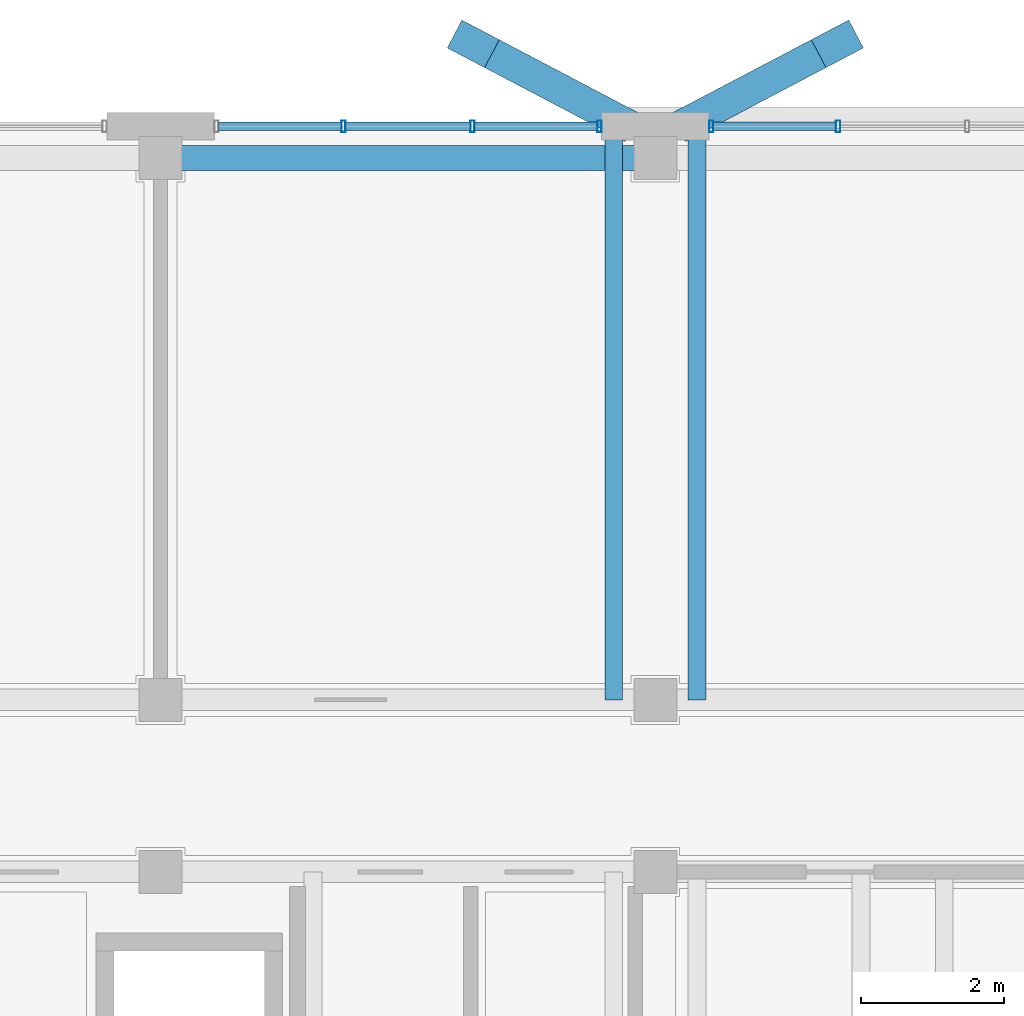
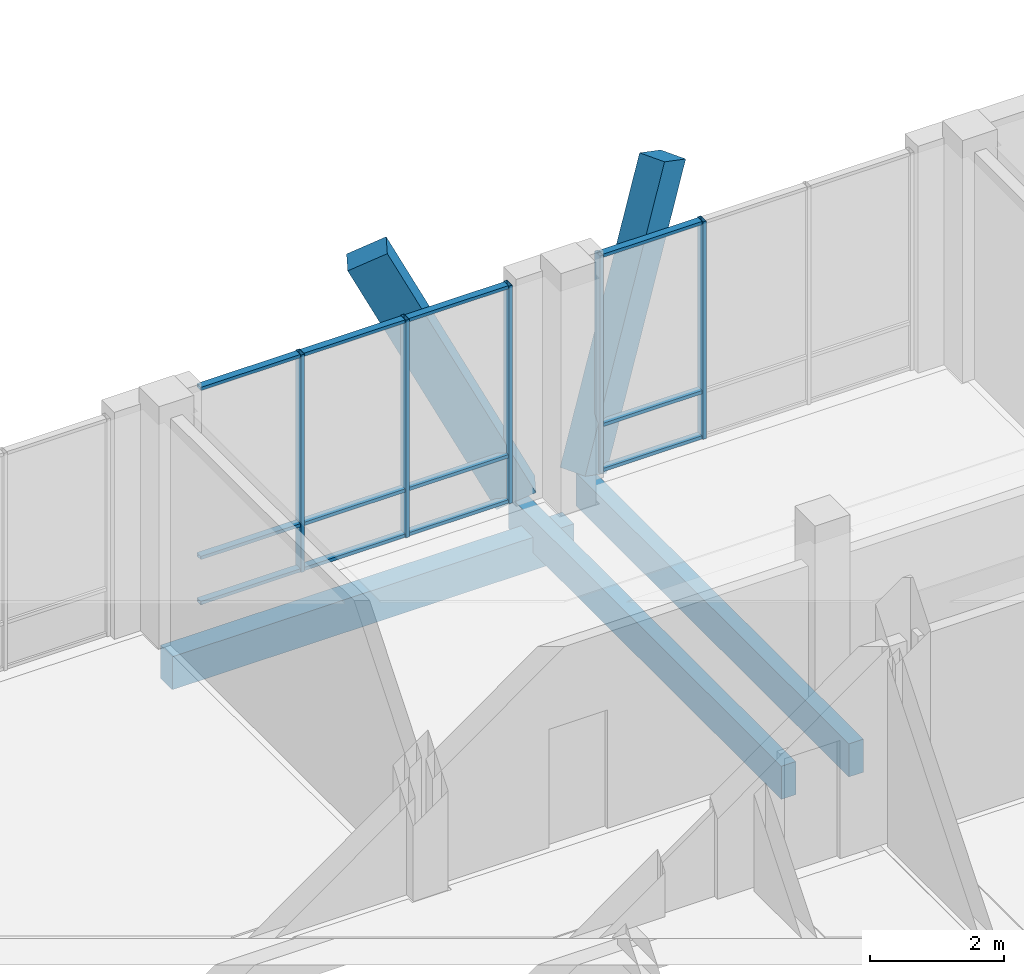
# One storey, part 107 of 233: 19 members, 3 beams, 2 elements without a shape of their own.
"""IFC4 building model written with IfcOpenShell, lengths in metres."""

from ifc_helpers import new_model, si_unit, direction, frame, origin, origin_2d, place, context, subcontext, project, spatial, rectangle, hollow_rectangle, extrude, material, material_profile, profile_set, type_object, element, aggregate, save


model = new_model("IFC4")

# Units and contexts
model_context = context("Model", 3, precision=1e-05, world=origin(), true_north=direction((0.0, 1.0)))
body_context = subcontext(model_context, "Body", "Model", "MODEL_VIEW")
ifc_project = project(units=[si_unit("LENGTHUNIT", "METRE"), si_unit("AREAUNIT", "SQUARE_METRE"), si_unit("VOLUMEUNIT", "CUBIC_METRE"), si_unit("PLANEANGLEUNIT", "RADIAN"), si_unit("MASSUNIT", "GRAM", prefix="KILO")], contexts=[model_context])

# Site, building, storey
site_placement = place(None, origin())
site = spatial("IfcSite", under=ifc_project, at=site_placement, CompositionType="ELEMENT")
building_placement = place(site_placement, origin())
building = spatial("IfcBuilding", under=site, at=building_placement, Name="Zavelmont Quarter", CompositionType="ELEMENT")
storey_placement = place(building_placement, origin())
storey = spatial("IfcBuildingStorey", under=building, at=storey_placement, Name="L00", CompositionType="ELEMENT", Elevation=0.0)

# Beams
ifc_material_1 = material(Name="Concrete C35/45", Category="concrete")
ifc_material_profile_1 = material_profile(ifc_material_1, rectangle(XDim=0.35009765625, YDim=0.60009765625, at=origin_2d()), Name="RC350X600")
ifc_profile_set_1 = profile_set([ifc_material_profile_1], Name="Concrete C35/45")
beam_type_1 = type_object("IfcBeamType", Name="BM01", PredefinedType="SPANDREL", material=ifc_profile_set_1)
beam_placement = place(storey_placement, frame((13.800048828125, 115.56005859375, -0.6201171875), z_axis=(1.0, 0.0, 0.0), x_axis=(0.0, 1.0, 0.0)))
element("IfcBeam", 1, at=beam_placement, inside=storey, type_object=beam_type_1, Name="L00 beam BM01 3/S to 4/S", PredefinedType="SPANDREL", context=body_context, shape_type="SweptSolid", body=[
    extrude(rectangle(XDim=0.35009765625, YDim=0.60009765625, at=origin_2d()), origin(), (0.0, 0.0, 1.0), 6.89990234375),
])
ifc_material_2 = material(Name="Concrete C40/50", Category="concrete")
ifc_material_profile_2 = material_profile(ifc_material_2, rectangle(XDim=0.25, YDim=0.60009765625, at=origin_2d()), Name="RC250X600")
ifc_profile_set_2 = profile_set([ifc_material_profile_2], Name="Concrete C40/50")
beam_type_2 = type_object("IfcBeamType", Name="BM18", PredefinedType="BEAM", material=ifc_profile_set_2)
for number, where, z_axis, x_axis, name in (
    (2, (20.1201171875, 108.0, -0.300048828125), (0.0, 1.0, 0.0), (-1.0, 0.0, 0.0), "L00 beam BM18 4/R to 4/S"),
    (3, (21.280029296875, 108.0, -0.300048828125), (0.0, 1.0, 0.0), (-1.0, 0.0, 0.0), "L00 beam BM18 4/R to 4/S"),
):
    element("IfcBeam", number, at=place(storey_placement, frame(where, z_axis=z_axis, x_axis=x_axis)), inside=storey, type_object=beam_type_2, Name=name, PredefinedType="BEAM", context=body_context, shape_type="SweptSolid", body=[
        extrude(rectangle(XDim=0.25, YDim=0.60009765625, at=origin_2d()), origin(), (0.0, 0.0, 1.0), 8.1201171875),
    ])

# Curtain wall, members
ifc_material_3 = material(Name="Thermally broken aluminium and double low-E safety glazing", Category="aluminium")
curtain_wall_type = type_object("IfcCurtainWallType", Name="CW-540X395", PredefinedType="NOTDEFINED", material=ifc_material_3)
curtain_wall_1_placement = place(storey_placement, origin())
curtain_wall_1 = element("IfcCurtainWall", 4, at=curtain_wall_1_placement, inside=storey, type_object=curtain_wall_type, Name="L00 unitised curtain wall CW-540X395", PredefinedType="NOTDEFINED")
ifc_material_4 = material(Name="Powder-coated aluminium EN AW-6063-T6", Category="aluminium")
ifc_material_profile_3 = material_profile(ifc_material_4, hollow_rectangle(XDim=0.06005859375, YDim=0.159912109375, WallThickness=0.00390625, at=origin_2d()), Name="CWM60X160")
ifc_profile_set_3 = profile_set([ifc_material_profile_3], Name="Powder-coated aluminium EN AW-6063-T6")
member_type_1 = type_object("IfcMemberType", Name="CWM01", PredefinedType="MULLION", material=ifc_profile_set_3)
member_1_placement = place(storey_placement, frame((16.35009765625, 116.0, 0.0), z_axis=(0.0, 0.0, 1.0), x_axis=(1.0, 0.0, 0.0)))
member_1 = element("IfcMember", 5, at=member_1_placement, type_object=member_type_1, Name="CW-540X395 mullion 2", PredefinedType="MULLION", context=body_context, shape_type="SweptSolid", body=[
    extrude(hollow_rectangle(XDim=0.06005859375, YDim=0.159912109375, WallThickness=0.00390625, at=origin_2d()), origin(), (0.0, 0.0, 1.0), 3.949951171875),
])
member_2_placement = place(storey_placement, frame((18.14990234375, 116.0, 0.0), z_axis=(0.0, 0.0, 1.0), x_axis=(1.0, 0.0, 0.0)))
member_2 = element("IfcMember", 6, at=member_2_placement, type_object=member_type_1, Name="CW-540X395 mullion 3", PredefinedType="MULLION", context=body_context, shape_type="SweptSolid", body=[
    extrude(hollow_rectangle(XDim=0.06005859375, YDim=0.159912109375, WallThickness=0.00390625, at=origin_2d()), origin(), (0.0, 0.0, 1.0), 3.949951171875),
])
member_3_placement = place(storey_placement, frame((19.919921875, 116.0, 0.0), z_axis=(0.0, 0.0, 1.0), x_axis=(1.0, 0.0, 0.0)))
member_3 = element("IfcMember", 7, at=member_3_placement, type_object=member_type_1, Name="CW-540X395 mullion 4", PredefinedType="MULLION", context=body_context, shape_type="SweptSolid", body=[
    extrude(hollow_rectangle(XDim=0.06005859375, YDim=0.159912109375, WallThickness=0.00390625, at=origin_2d()), origin(), (0.0, 0.0, 1.0), 3.949951171875),
])

curtain_wall_2_placement = place(storey_placement, origin())
curtain_wall_2 = element("IfcCurtainWall", 8, at=curtain_wall_2_placement, inside=storey, type_object=curtain_wall_type, Name="L00 unitised curtain wall CW-540X395", PredefinedType="NOTDEFINED")
member_4_placement = place(storey_placement, frame((21.47998046875, 116.0, 0.0), z_axis=(0.0, 0.0, 1.0), x_axis=(1.0, 0.0, 0.0)))
member_4 = element("IfcMember", 9, at=member_4_placement, type_object=member_type_1, Name="CW-540X395 mullion 1", PredefinedType="MULLION", context=body_context, shape_type="SweptSolid", body=[
    extrude(hollow_rectangle(XDim=0.06005859375, YDim=0.159912109375, WallThickness=0.00390625, at=origin_2d()), origin(), (0.0, 0.0, 1.0), 3.949951171875),
])
member_5_placement = place(storey_placement, frame((23.25, 116.0, 0.0), z_axis=(0.0, 0.0, 1.0), x_axis=(1.0, 0.0, 0.0)))
member_5 = element("IfcMember", 10, at=member_5_placement, type_object=member_type_1, Name="CW-540X395 mullion 2", PredefinedType="MULLION", context=body_context, shape_type="SweptSolid", body=[
    extrude(hollow_rectangle(XDim=0.06005859375, YDim=0.159912109375, WallThickness=0.00390625, at=origin_2d()), origin(), (0.0, 0.0, 1.0), 3.949951171875),
])

# Member
ifc_material_profile_4 = material_profile(ifc_material_4, hollow_rectangle(XDim=0.1201171875, YDim=0.06005859375, WallThickness=0.00390625, at=origin_2d()), Name="CWT60X120")
ifc_profile_set_4 = profile_set([ifc_material_profile_4], Name="Powder-coated aluminium EN AW-6063-T6")
member_type_2 = type_object("IfcMemberType", Name="CWT01", PredefinedType="NOTDEFINED", material=ifc_profile_set_4)
member_6_placement = place(storey_placement, frame((14.610107421875, 116.0, 0.030029296875), z_axis=(1.0, 0.0, 0.0), x_axis=(0.0, 1.0, 0.0)))
member_6 = element("IfcMember", 11, at=member_6_placement, type_object=member_type_2, Name="CW-540X395 transom 1.1", ObjectType="TRANSOM", PredefinedType="USERDEFINED", context=body_context, shape_type="SweptSolid", body=[
    extrude(hollow_rectangle(XDim=0.1201171875, YDim=0.06005859375, WallThickness=0.00390625, at=origin_2d()), origin(), (0.0, 0.0, 1.0), 1.7099609375),
])

member_7_placement = place(storey_placement, frame((14.610107421875, 116.0, 0.85009765625), z_axis=(1.0, 0.0, 0.0), x_axis=(0.0, 1.0, 0.0)))
member_7 = element("IfcMember", 12, at=member_7_placement, type_object=member_type_2, Name="CW-540X395 transom 1.2", ObjectType="TRANSOM", PredefinedType="USERDEFINED", context=body_context, shape_type="SweptSolid", body=[
    extrude(hollow_rectangle(XDim=0.1201171875, YDim=0.06005859375, WallThickness=0.00390625, at=origin_2d()), origin(), (0.0, 0.0, 1.0), 1.7099609375),
])

member_8_placement = place(storey_placement, frame((14.610107421875, 116.0, 3.919921875), z_axis=(1.0, 0.0, 0.0), x_axis=(0.0, 1.0, 0.0)))
member_8 = element("IfcMember", 13, at=member_8_placement, type_object=member_type_2, Name="CW-540X395 transom 1.3", ObjectType="TRANSOM", PredefinedType="USERDEFINED", context=body_context, shape_type="SweptSolid", body=[
    extrude(hollow_rectangle(XDim=0.1201171875, YDim=0.06005859375, WallThickness=0.00390625, at=origin_2d()), origin(), (0.0, 0.0, 1.0), 1.7099609375),
])

member_9_placement = place(storey_placement, frame((16.3798828125, 116.0, 0.030029296875), z_axis=(1.0, 0.0, 0.0), x_axis=(0.0, 1.0, 0.0)))
member_9 = element("IfcMember", 14, at=member_9_placement, type_object=member_type_2, Name="CW-540X395 transom 2.1", ObjectType="TRANSOM", PredefinedType="USERDEFINED", context=body_context, shape_type="SweptSolid", body=[
    extrude(hollow_rectangle(XDim=0.1201171875, YDim=0.06005859375, WallThickness=0.00390625, at=origin_2d()), origin(), (0.0, 0.0, 1.0), 1.740234375),
])

member_10_placement = place(storey_placement, frame((16.3798828125, 116.0, 0.85009765625), z_axis=(1.0, 0.0, 0.0), x_axis=(0.0, 1.0, 0.0)))
member_10 = element("IfcMember", 15, at=member_10_placement, type_object=member_type_2, Name="CW-540X395 transom 2.2", ObjectType="TRANSOM", PredefinedType="USERDEFINED", context=body_context, shape_type="SweptSolid", body=[
    extrude(hollow_rectangle(XDim=0.1201171875, YDim=0.06005859375, WallThickness=0.00390625, at=origin_2d()), origin(), (0.0, 0.0, 1.0), 1.740234375),
])

member_11_placement = place(storey_placement, frame((16.3798828125, 116.0, 3.919921875), z_axis=(1.0, 0.0, 0.0), x_axis=(0.0, 1.0, 0.0)))
member_11 = element("IfcMember", 16, at=member_11_placement, type_object=member_type_2, Name="CW-540X395 transom 2.3", ObjectType="TRANSOM", PredefinedType="USERDEFINED", context=body_context, shape_type="SweptSolid", body=[
    extrude(hollow_rectangle(XDim=0.1201171875, YDim=0.06005859375, WallThickness=0.00390625, at=origin_2d()), origin(), (0.0, 0.0, 1.0), 1.740234375),
])

member_12_placement = place(storey_placement, frame((18.179931640625, 116.0, 0.030029296875), z_axis=(1.0, 0.0, 0.0), x_axis=(0.0, 1.0, 0.0)))
member_12 = element("IfcMember", 17, at=member_12_placement, type_object=member_type_2, Name="CW-540X395 transom 3.1", ObjectType="TRANSOM", PredefinedType="USERDEFINED", context=body_context, shape_type="SweptSolid", body=[
    extrude(hollow_rectangle(XDim=0.1201171875, YDim=0.06005859375, WallThickness=0.00390625, at=origin_2d()), origin(), (0.0, 0.0, 1.0), 1.7099609375),
])

member_13_placement = place(storey_placement, frame((18.179931640625, 116.0, 0.85009765625), z_axis=(1.0, 0.0, 0.0), x_axis=(0.0, 1.0, 0.0)))
member_13 = element("IfcMember", 18, at=member_13_placement, type_object=member_type_2, Name="CW-540X395 transom 3.2", ObjectType="TRANSOM", PredefinedType="USERDEFINED", context=body_context, shape_type="SweptSolid", body=[
    extrude(hollow_rectangle(XDim=0.1201171875, YDim=0.06005859375, WallThickness=0.00390625, at=origin_2d()), origin(), (0.0, 0.0, 1.0), 1.7099609375),
])

member_14_placement = place(storey_placement, frame((18.179931640625, 116.0, 3.919921875), z_axis=(1.0, 0.0, 0.0), x_axis=(0.0, 1.0, 0.0)))
member_14 = element("IfcMember", 19, at=member_14_placement, type_object=member_type_2, Name="CW-540X395 transom 3.3", ObjectType="TRANSOM", PredefinedType="USERDEFINED", context=body_context, shape_type="SweptSolid", body=[
    extrude(hollow_rectangle(XDim=0.1201171875, YDim=0.06005859375, WallThickness=0.00390625, at=origin_2d()), origin(), (0.0, 0.0, 1.0), 1.7099609375),
])

aggregate(curtain_wall_1, [member_1, member_2, member_3, member_6, member_7, member_8, member_9, member_10, member_11, member_12, member_13, member_14])

member_15_placement = place(storey_placement, frame((21.510009765625, 116.0, 0.030029296875), z_axis=(1.0, 0.0, 0.0), x_axis=(0.0, 1.0, 0.0)))
member_15 = element("IfcMember", 20, at=member_15_placement, type_object=member_type_2, Name="CW-540X395 transom 1.1", ObjectType="TRANSOM", PredefinedType="USERDEFINED", context=body_context, shape_type="SweptSolid", body=[
    extrude(hollow_rectangle(XDim=0.1201171875, YDim=0.06005859375, WallThickness=0.00390625, at=origin_2d()), origin(), (0.0, 0.0, 1.0), 1.7099609375),
])

member_16_placement = place(storey_placement, frame((21.510009765625, 116.0, 0.85009765625), z_axis=(1.0, 0.0, 0.0), x_axis=(0.0, 1.0, 0.0)))
member_16 = element("IfcMember", 21, at=member_16_placement, type_object=member_type_2, Name="CW-540X395 transom 1.2", ObjectType="TRANSOM", PredefinedType="USERDEFINED", context=body_context, shape_type="SweptSolid", body=[
    extrude(hollow_rectangle(XDim=0.1201171875, YDim=0.06005859375, WallThickness=0.00390625, at=origin_2d()), origin(), (0.0, 0.0, 1.0), 1.7099609375),
])

member_17_placement = place(storey_placement, frame((21.510009765625, 116.0, 3.919921875), z_axis=(1.0, 0.0, 0.0), x_axis=(0.0, 1.0, 0.0)))
member_17 = element("IfcMember", 22, at=member_17_placement, type_object=member_type_2, Name="CW-540X395 transom 1.3", ObjectType="TRANSOM", PredefinedType="USERDEFINED", context=body_context, shape_type="SweptSolid", body=[
    extrude(hollow_rectangle(XDim=0.1201171875, YDim=0.06005859375, WallThickness=0.00390625, at=origin_2d()), origin(), (0.0, 0.0, 1.0), 1.7099609375),
])

aggregate(curtain_wall_2, [member_4, member_5, member_15, member_16, member_17])

# Members
ifc_material_5 = material(Name="White architectural precast concrete C40/50", Category="concrete")
ifc_material_profile_5 = material_profile(ifc_material_5, rectangle(XDim=0.43994140625, YDim=0.659912109375, at=origin_2d()), Name="PCR320X480")
ifc_profile_set_5 = profile_set([ifc_material_profile_5], Name="White architectural precast concrete C40/50")
member_type_3 = type_object("IfcMemberType", Name="VR01M", PredefinedType="CHORD", material=ifc_profile_set_5)
for number, where, z_axis, x_axis, name in (
    (23, (20.1201171875, 116.1201171875, 0.0), (-0.397791991409, 0.20908244483, 0.893334239148), (-0.465255384016, -0.885176495194, 0.0), "L00 member VR01M 4/S to 4/S"),
    (24, (21.280029296875, 116.1201171875, 0.0), (0.397791991409, 0.20908244483, 0.893334239148), (-0.465255384016, 0.885176495194, 0.0), "L00 member VR01M 4/S to 4/S"),
):
    element("IfcMember", number, at=place(storey_placement, frame(where, z_axis=z_axis, x_axis=x_axis)), inside=storey, type_object=member_type_3, Name=name, PredefinedType="CHORD", context=body_context, shape_type="SweptSolid", body=[
        extrude(rectangle(XDim=0.43994140625, YDim=0.659912109375, at=origin_2d()), origin(), (0.0, 0.0, 1.0), 4.92529296875),
    ])

save(model, "model.ifc")
